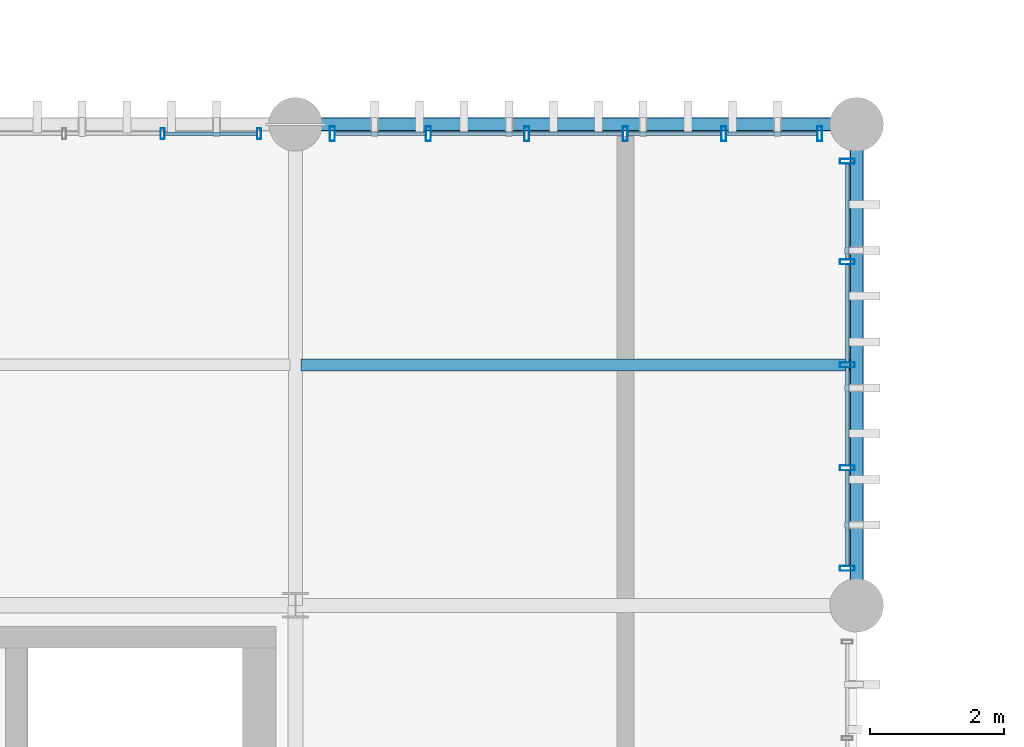
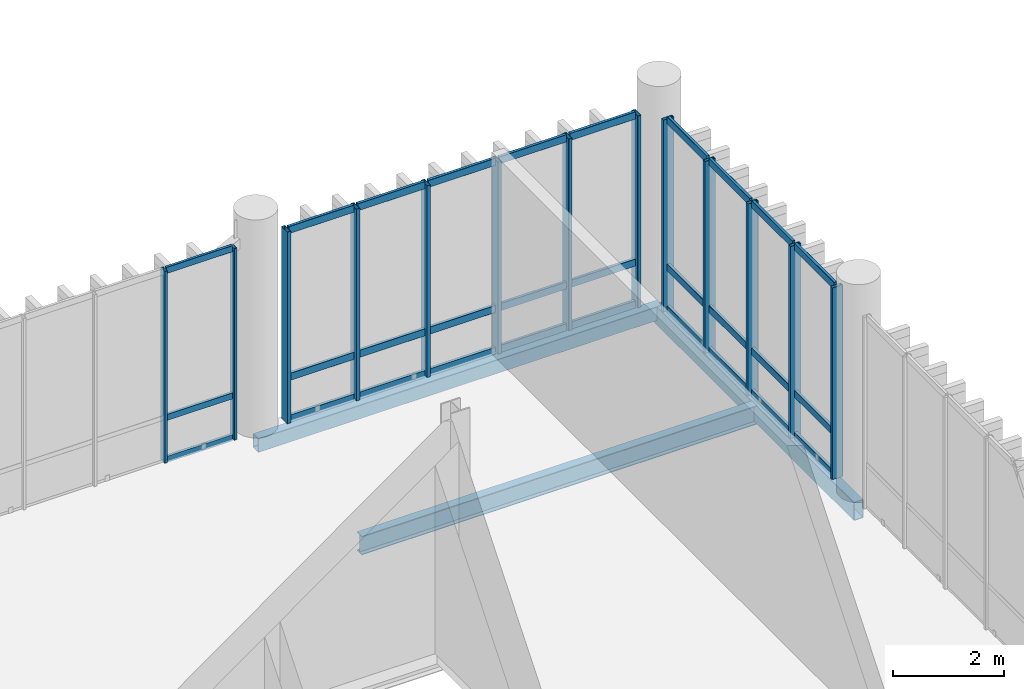
# One storey, part 58 of 109: 43 members, 3 beams, 3 elements without a shape of their own.
"""IFC4 building model written with IfcOpenShell, lengths in metres."""

from ifc_helpers import new_model, si_unit, direction, frame, origin_with_axes, origin_2d_with_axis, place, context, subcontext, project, spatial, hollow_rectangle, i_section, extrude, material, material_profile, profile_set, type_object, element, aggregate, save


model = new_model("IFC4")

# Units and contexts
model_context = context("Model", 3, precision=1e-05, world=origin_with_axes(), true_north=direction((0.0, 1.0)))
body_context = subcontext(model_context, "Body", "Model", "MODEL_VIEW")
ifc_project = project(units=[si_unit("LENGTHUNIT", "METRE"), si_unit("AREAUNIT", "SQUARE_METRE"), si_unit("VOLUMEUNIT", "CUBIC_METRE"), si_unit("PLANEANGLEUNIT", "RADIAN"), si_unit("MASSUNIT", "GRAM", prefix="KILO"), si_unit("THERMODYNAMICTEMPERATUREUNIT", "KELVIN")], contexts=[model_context])

# Site, building, storey
site_placement = place(None, origin_with_axes())
site = spatial("IfcSite", under=ifc_project, at=site_placement, CompositionType="ELEMENT")
building_placement = place(site_placement, origin_with_axes())
building = spatial("IfcBuilding", under=site, at=building_placement, Name="Montbau Bow Law Courts", CompositionType="ELEMENT")
storey_placement = place(building_placement, frame((0.0, 0.0, 10.8), z_axis=(0.0, 0.0, 1.0), x_axis=(1.0, 0.0, 0.0)))
storey = spatial("IfcBuildingStorey", under=building, at=storey_placement, Name="L02", CompositionType="ELEMENT", Elevation=10.8)

# Beams
ifc_material_1 = material(Name="Steel CSA G40.21 Grade 350W (350 MPa)", Category="steel")
ifc_material_profile_1 = material_profile(ifc_material_1, i_section(OverallWidth=0.179, OverallDepth=0.41, WebThickness=0.0088, FlangeThickness=0.0144, at=origin_2d_with_axis()), Name="W410X67", Category="Main", Priority=0)
ifc_profile_set_1 = profile_set([ifc_material_profile_1], Name="Steel CSA G40.21 Grade 350W (350 MPa)")
beam_type_1 = type_object("IfcBeamType", Name="B-JST-02", PredefinedType="JOIST", material=ifc_profile_set_1)
beam_1_placement = place(None, frame((88.881, 58.2, 10.355), z_axis=(1.0, 0.0, 0.0), x_axis=(0.0, 1.0, 0.0)))
element("IfcBeam", 1, at=beam_1_placement, inside=storey, type_object=beam_type_1, Name="JST-L02-S0453:jst2_0453", PredefinedType="JOIST", context=body_context, shape_type="SweptSolid", body=[
    extrude(i_section(OverallWidth=0.179, OverallDepth=0.41, WebThickness=0.0088, FlangeThickness=0.0144, at=origin_2d_with_axis()), origin_with_axes(), (0.0, 0.0, 1.0), 8.239),
])
ifc_material_2 = material(Name="Steel CSA G40.21 Grade 350WT (350 MPa)", Category="steel")
ifc_material_profile_2 = material_profile(ifc_material_2, hollow_rectangle(XDim=0.203, YDim=0.406, WallThickness=0.0127, InnerFilletRadius=0.0254, OuterFilletRadius=0.0127, at=origin_2d_with_axis()), Name="HSS406X203X13", Category="Main", Priority=0)
ifc_profile_set_2 = profile_set([ifc_material_profile_2], Name="Steel CSA G40.21 Grade 350WT (350 MPa)")
beam_type_2 = type_object("IfcBeamType", Name="B-SPN-01", PredefinedType="SPANDREL", material=ifc_profile_set_2)
beam_2_placement = place(None, frame((97.2, 54.6, 10.357), z_axis=(0.0, 1.0, 0.0), x_axis=(-1.0, 0.0, 0.0)))
element("IfcBeam", 2, at=beam_2_placement, inside=storey, type_object=beam_type_2, Name="SPN-L02-S0873:bm2_0876", PredefinedType="SPANDREL", context=body_context, shape_type="SweptSolid", body=[
    extrude(hollow_rectangle(XDim=0.203, YDim=0.406, WallThickness=0.0127, InnerFilletRadius=0.0254, OuterFilletRadius=0.0127, at=origin_2d_with_axis()), origin_with_axes(), (0.0, 0.0, 1.0), 7.2),
])
ifc_material_profile_3 = material_profile(ifc_material_2, hollow_rectangle(XDim=0.203, YDim=0.305, WallThickness=0.0127, InnerFilletRadius=0.0254, OuterFilletRadius=0.0127, at=origin_2d_with_axis()), Name="HSS305X203X13", Category="Main", Priority=0)
ifc_profile_set_3 = profile_set([ifc_material_profile_3], Name="Steel CSA G40.21 Grade 350WT (350 MPa)")
beam_type_3 = type_object("IfcBeamType", Name="B-SPN-02", PredefinedType="SPANDREL", material=ifc_profile_set_3)
beam_3_placement = place(None, frame((88.8, 61.8, 10.408), z_axis=(1.0, 0.0, 0.0), x_axis=(0.0, 1.0, 0.0)))
element("IfcBeam", 3, at=beam_3_placement, inside=storey, type_object=beam_type_3, Name="SPN-L02-S0856:bm2_0859", PredefinedType="SPANDREL", context=body_context, shape_type="SweptSolid", body=[
    extrude(hollow_rectangle(XDim=0.203, YDim=0.305, WallThickness=0.0127, InnerFilletRadius=0.0254, OuterFilletRadius=0.0127, at=origin_2d_with_axis()), origin_with_axes(), (0.0, 0.0, 1.0), 8.4),
])

# Curtain wall, members
ifc_material_3 = material(Name="Thermally Broken Extruded Aluminium AA 6063-T6", Category="aluminium")
curtain_wall_type = type_object("IfcCurtainWallType", Name="CW-CRM-01", PredefinedType="NOTDEFINED", material=ifc_material_3)
curtain_wall_1_placement = place(None, frame((89.315, 61.66, 10.8), z_axis=(0.0, 0.0, 1.0), x_axis=(1.0, 0.0, 0.0)))
curtain_wall_1 = element("IfcCurtainWall", 4, at=curtain_wall_1_placement, inside=storey, type_object=curtain_wall_type, Name="CW-L02-168:cw_0168", PredefinedType="NOTDEFINED")
ifc_material_profile_4 = material_profile(ifc_material_3, hollow_rectangle(XDim=0.075, YDim=0.22, WallThickness=0.005, InnerFilletRadius=0.01, OuterFilletRadius=0.005, at=origin_2d_with_axis()), Name="CWM-220X75", Category="Main", Priority=0)
ifc_profile_set_4 = profile_set([ifc_material_profile_4], Name="Thermally Broken Extruded Aluminium AA 6063-T6")
member_type_1 = type_object("IfcMemberType", Name="M-MUL-01", PredefinedType="MULLION", material=ifc_profile_set_4)
member_1_placement = place(None, frame((89.352, 61.66, 10.8), z_axis=(0.0, 0.0, 1.0), x_axis=(1.0, 0.0, 0.0)))
member_1 = element("IfcMember", 5, at=member_1_placement, type_object=member_type_1, Name="CW-L02-168-M01:cw_0168_M01", PredefinedType="MULLION", context=body_context, shape_type="SweptSolid", body=[
    extrude(hollow_rectangle(XDim=0.075, YDim=0.22, WallThickness=0.005, InnerFilletRadius=0.01, OuterFilletRadius=0.005, at=origin_2d_with_axis()), origin_with_axes(), (0.0, 0.0, 1.0), 4.22),
])
member_2_placement = place(None, frame((90.789, 61.66, 10.8), z_axis=(0.0, 0.0, 1.0), x_axis=(1.0, 0.0, 0.0)))
member_2 = element("IfcMember", 6, at=member_2_placement, type_object=member_type_1, Name="CW-L02-168-M02:cw_0168_M02", PredefinedType="MULLION", context=body_context, shape_type="SweptSolid", body=[
    extrude(hollow_rectangle(XDim=0.075, YDim=0.22, WallThickness=0.005, InnerFilletRadius=0.01, OuterFilletRadius=0.005, at=origin_2d_with_axis()), origin_with_axes(), (0.0, 0.0, 1.0), 4.22),
])
member_3_placement = place(None, frame((92.263, 61.66, 10.8), z_axis=(0.0, 0.0, 1.0), x_axis=(1.0, 0.0, 0.0)))
member_3 = element("IfcMember", 7, at=member_3_placement, type_object=member_type_1, Name="CW-L02-168-M03:cw_0168_M03", PredefinedType="MULLION", context=body_context, shape_type="SweptSolid", body=[
    extrude(hollow_rectangle(XDim=0.075, YDim=0.22, WallThickness=0.005, InnerFilletRadius=0.01, OuterFilletRadius=0.005, at=origin_2d_with_axis()), origin_with_axes(), (0.0, 0.0, 1.0), 4.22),
])
member_4_placement = place(None, frame((93.737, 61.66, 10.8), z_axis=(0.0, 0.0, 1.0), x_axis=(1.0, 0.0, 0.0)))
member_4 = element("IfcMember", 8, at=member_4_placement, type_object=member_type_1, Name="CW-L02-168-M04:cw_0168_M04", PredefinedType="MULLION", context=body_context, shape_type="SweptSolid", body=[
    extrude(hollow_rectangle(XDim=0.075, YDim=0.22, WallThickness=0.005, InnerFilletRadius=0.01, OuterFilletRadius=0.005, at=origin_2d_with_axis()), origin_with_axes(), (0.0, 0.0, 1.0), 4.22),
])
member_5_placement = place(None, frame((95.211, 61.66, 10.8), z_axis=(0.0, 0.0, 1.0), x_axis=(1.0, 0.0, 0.0)))
member_5 = element("IfcMember", 9, at=member_5_placement, type_object=member_type_1, Name="CW-L02-168-M05:cw_0168_M05", PredefinedType="MULLION", context=body_context, shape_type="SweptSolid", body=[
    extrude(hollow_rectangle(XDim=0.075, YDim=0.22, WallThickness=0.005, InnerFilletRadius=0.01, OuterFilletRadius=0.005, at=origin_2d_with_axis()), origin_with_axes(), (0.0, 0.0, 1.0), 4.22),
])
member_6_placement = place(None, frame((96.648, 61.66, 10.8), z_axis=(0.0, 0.0, 1.0), x_axis=(1.0, 0.0, 0.0)))
member_6 = element("IfcMember", 10, at=member_6_placement, type_object=member_type_1, Name="CW-L02-168-M06:cw_0168_M06", PredefinedType="MULLION", context=body_context, shape_type="SweptSolid", body=[
    extrude(hollow_rectangle(XDim=0.075, YDim=0.22, WallThickness=0.005, InnerFilletRadius=0.01, OuterFilletRadius=0.005, at=origin_2d_with_axis()), origin_with_axes(), (0.0, 0.0, 1.0), 4.22),
])

curtain_wall_2_placement = place(None, frame((97.06, 55.115, 10.8), z_axis=(0.0, 0.0, 1.0), x_axis=(1.0, 0.0, 0.0)))
curtain_wall_2 = element("IfcCurtainWall", 11, at=curtain_wall_2_placement, inside=storey, type_object=curtain_wall_type, Name="CW-L02-174:cw_0174", PredefinedType="NOTDEFINED")
member_7_placement = place(None, frame((97.06, 55.152, 10.8), z_axis=(0.0, 0.0, 1.0), x_axis=(0.0, 1.0, 0.0)))
member_7 = element("IfcMember", 12, at=member_7_placement, type_object=member_type_1, Name="CW-L02-174-M01:cw_0174_M01", PredefinedType="MULLION", context=body_context, shape_type="SweptSolid", body=[
    extrude(hollow_rectangle(XDim=0.075, YDim=0.22, WallThickness=0.005, InnerFilletRadius=0.01, OuterFilletRadius=0.005, at=origin_2d_with_axis()), origin_with_axes(), (0.0, 0.0, 1.0), 4.22),
])
member_8_placement = place(None, frame((97.06, 56.657, 10.8), z_axis=(0.0, 0.0, 1.0), x_axis=(0.0, 1.0, 0.0)))
member_8 = element("IfcMember", 13, at=member_8_placement, type_object=member_type_1, Name="CW-L02-174-M02:cw_0174_M02", PredefinedType="MULLION", context=body_context, shape_type="SweptSolid", body=[
    extrude(hollow_rectangle(XDim=0.075, YDim=0.22, WallThickness=0.005, InnerFilletRadius=0.01, OuterFilletRadius=0.005, at=origin_2d_with_axis()), origin_with_axes(), (0.0, 0.0, 1.0), 4.22),
])
member_9_placement = place(None, frame((97.06, 58.2, 10.8), z_axis=(0.0, 0.0, 1.0), x_axis=(0.0, 1.0, 0.0)))
member_9 = element("IfcMember", 14, at=member_9_placement, type_object=member_type_1, Name="CW-L02-174-M03:cw_0174_M03", PredefinedType="MULLION", context=body_context, shape_type="SweptSolid", body=[
    extrude(hollow_rectangle(XDim=0.075, YDim=0.22, WallThickness=0.005, InnerFilletRadius=0.01, OuterFilletRadius=0.005, at=origin_2d_with_axis()), origin_with_axes(), (0.0, 0.0, 1.0), 4.22),
])
member_10_placement = place(None, frame((97.06, 59.742, 10.8), z_axis=(0.0, 0.0, 1.0), x_axis=(0.0, 1.0, 0.0)))
member_10 = element("IfcMember", 15, at=member_10_placement, type_object=member_type_1, Name="CW-L02-174-M04:cw_0174_M04", PredefinedType="MULLION", context=body_context, shape_type="SweptSolid", body=[
    extrude(hollow_rectangle(XDim=0.075, YDim=0.22, WallThickness=0.005, InnerFilletRadius=0.01, OuterFilletRadius=0.005, at=origin_2d_with_axis()), origin_with_axes(), (0.0, 0.0, 1.0), 4.22),
])
member_11_placement = place(None, frame((97.06, 61.247, 10.8), z_axis=(0.0, 0.0, 1.0), x_axis=(0.0, 1.0, 0.0)))
member_11 = element("IfcMember", 16, at=member_11_placement, type_object=member_type_1, Name="CW-L02-174-M05:cw_0174_M05", PredefinedType="MULLION", context=body_context, shape_type="SweptSolid", body=[
    extrude(hollow_rectangle(XDim=0.075, YDim=0.22, WallThickness=0.005, InnerFilletRadius=0.01, OuterFilletRadius=0.005, at=origin_2d_with_axis()), origin_with_axes(), (0.0, 0.0, 1.0), 4.22),
])

curtain_wall_3_placement = place(None, frame((80.915, 61.66, 10.8), z_axis=(0.0, 0.0, 1.0), x_axis=(1.0, 0.0, 0.0)))
curtain_wall_3 = element("IfcCurtainWall", 17, at=curtain_wall_3_placement, inside=storey, type_object=curtain_wall_type, Name="CW-L02-167:cw_0167", PredefinedType="NOTDEFINED")
ifc_material_profile_5 = material_profile(ifc_material_3, hollow_rectangle(XDim=0.06, YDim=0.16, WallThickness=0.004, InnerFilletRadius=0.008, OuterFilletRadius=0.004, at=origin_2d_with_axis()), Name="CWM-160X60", Category="Main", Priority=0)
ifc_profile_set_5 = profile_set([ifc_material_profile_5], Name="Thermally Broken Extruded Aluminium AA 6063-T6")
member_type_2 = type_object("IfcMemberType", Name="M-MUL-03", PredefinedType="MULLION", material=ifc_profile_set_5)
member_12_placement = place(None, frame((86.811, 61.66, 10.8), z_axis=(0.0, 0.0, 1.0), x_axis=(1.0, 0.0, 0.0)))
member_12 = element("IfcMember", 18, at=member_12_placement, type_object=member_type_2, Name="CW-L02-167-M05:cw_0167_M05", PredefinedType="MULLION", context=body_context, shape_type="SweptSolid", body=[
    extrude(hollow_rectangle(XDim=0.06, YDim=0.16, WallThickness=0.004, InnerFilletRadius=0.008, OuterFilletRadius=0.004, at=origin_2d_with_axis()), origin_with_axes(), (0.0, 0.0, 1.0), 4.22),
])
member_13_placement = place(None, frame((88.255, 61.66, 10.8), z_axis=(0.0, 0.0, 1.0), x_axis=(1.0, 0.0, 0.0)))
member_13 = element("IfcMember", 19, at=member_13_placement, type_object=member_type_2, Name="CW-L02-167-M06:cw_0167_M06", PredefinedType="MULLION", context=body_context, shape_type="SweptSolid", body=[
    extrude(hollow_rectangle(XDim=0.06, YDim=0.16, WallThickness=0.004, InnerFilletRadius=0.008, OuterFilletRadius=0.004, at=origin_2d_with_axis()), origin_with_axes(), (0.0, 0.0, 1.0), 4.22),
])

# Member
ifc_material_profile_6 = material_profile(ifc_material_3, hollow_rectangle(XDim=0.06, YDim=0.16, WallThickness=0.004, InnerFilletRadius=0.008, OuterFilletRadius=0.004, at=origin_2d_with_axis()), Name="CWT-160X60", Category="Main", Priority=0)
ifc_profile_set_6 = profile_set([ifc_material_profile_6], Name="Thermally Broken Extruded Aluminium AA 6063-T6")
member_type_3 = type_object("IfcMemberType", Name="M-TRN-01", PredefinedType="USERDEFINED", material=ifc_profile_set_6)
member_14_placement = place(None, frame((89.391, 61.66, 10.83), z_axis=(1.0, 0.0, 0.0), x_axis=(0.0, 1.0, 0.0)))
member_14 = element("IfcMember", 20, at=member_14_placement, type_object=member_type_3, Name="CW-L02-168-T01-1:cw_0168_T01_1", ObjectType="TRANSOM", PredefinedType="USERDEFINED", context=body_context, shape_type="SweptSolid", body=[
    extrude(hollow_rectangle(XDim=0.06, YDim=0.16, WallThickness=0.004, InnerFilletRadius=0.008, OuterFilletRadius=0.004, at=origin_2d_with_axis()), origin_with_axes(), (0.0, 0.0, 1.0), 1.358),
])

member_15_placement = place(None, frame((89.391, 61.66, 11.75), z_axis=(1.0, 0.0, 0.0), x_axis=(0.0, 1.0, 0.0)))
member_15 = element("IfcMember", 21, at=member_15_placement, type_object=member_type_3, Name="CW-L02-168-T01-2:cw_0168_T01_2", ObjectType="TRANSOM", PredefinedType="USERDEFINED", context=body_context, shape_type="SweptSolid", body=[
    extrude(hollow_rectangle(XDim=0.06, YDim=0.16, WallThickness=0.004, InnerFilletRadius=0.008, OuterFilletRadius=0.004, at=origin_2d_with_axis()), origin_with_axes(), (0.0, 0.0, 1.0), 1.358),
])

member_16_placement = place(None, frame((89.391, 61.66, 14.99), z_axis=(1.0, 0.0, 0.0), x_axis=(0.0, 1.0, 0.0)))
member_16 = element("IfcMember", 22, at=member_16_placement, type_object=member_type_3, Name="CW-L02-168-T01-3:cw_0168_T01_3", ObjectType="TRANSOM", PredefinedType="USERDEFINED", context=body_context, shape_type="SweptSolid", body=[
    extrude(hollow_rectangle(XDim=0.06, YDim=0.16, WallThickness=0.004, InnerFilletRadius=0.008, OuterFilletRadius=0.004, at=origin_2d_with_axis()), origin_with_axes(), (0.0, 0.0, 1.0), 1.358),
])

member_17_placement = place(None, frame((90.829, 61.66, 10.83), z_axis=(1.0, 0.0, 0.0), x_axis=(0.0, 1.0, 0.0)))
member_17 = element("IfcMember", 23, at=member_17_placement, type_object=member_type_3, Name="CW-L02-168-T02-1:cw_0168_T02_1", ObjectType="TRANSOM", PredefinedType="USERDEFINED", context=body_context, shape_type="SweptSolid", body=[
    extrude(hollow_rectangle(XDim=0.06, YDim=0.16, WallThickness=0.004, InnerFilletRadius=0.008, OuterFilletRadius=0.004, at=origin_2d_with_axis()), origin_with_axes(), (0.0, 0.0, 1.0), 1.395),
])

member_18_placement = place(None, frame((90.829, 61.66, 11.75), z_axis=(1.0, 0.0, 0.0), x_axis=(0.0, 1.0, 0.0)))
member_18 = element("IfcMember", 24, at=member_18_placement, type_object=member_type_3, Name="CW-L02-168-T02-2:cw_0168_T02_2", ObjectType="TRANSOM", PredefinedType="USERDEFINED", context=body_context, shape_type="SweptSolid", body=[
    extrude(hollow_rectangle(XDim=0.06, YDim=0.16, WallThickness=0.004, InnerFilletRadius=0.008, OuterFilletRadius=0.004, at=origin_2d_with_axis()), origin_with_axes(), (0.0, 0.0, 1.0), 1.395),
])

member_19_placement = place(None, frame((90.829, 61.66, 14.99), z_axis=(1.0, 0.0, 0.0), x_axis=(0.0, 1.0, 0.0)))
member_19 = element("IfcMember", 25, at=member_19_placement, type_object=member_type_3, Name="CW-L02-168-T02-3:cw_0168_T02_3", ObjectType="TRANSOM", PredefinedType="USERDEFINED", context=body_context, shape_type="SweptSolid", body=[
    extrude(hollow_rectangle(XDim=0.06, YDim=0.16, WallThickness=0.004, InnerFilletRadius=0.008, OuterFilletRadius=0.004, at=origin_2d_with_axis()), origin_with_axes(), (0.0, 0.0, 1.0), 1.395),
])

member_20_placement = place(None, frame((92.302, 61.66, 10.83), z_axis=(1.0, 0.0, 0.0), x_axis=(0.0, 1.0, 0.0)))
member_20 = element("IfcMember", 26, at=member_20_placement, type_object=member_type_3, Name="CW-L02-168-T03-1:cw_0168_T03_1", ObjectType="TRANSOM", PredefinedType="USERDEFINED", context=body_context, shape_type="SweptSolid", body=[
    extrude(hollow_rectangle(XDim=0.06, YDim=0.16, WallThickness=0.004, InnerFilletRadius=0.008, OuterFilletRadius=0.004, at=origin_2d_with_axis()), origin_with_axes(), (0.0, 0.0, 1.0), 1.396),
])

member_21_placement = place(None, frame((92.302, 61.66, 11.75), z_axis=(1.0, 0.0, 0.0), x_axis=(0.0, 1.0, 0.0)))
member_21 = element("IfcMember", 27, at=member_21_placement, type_object=member_type_3, Name="CW-L02-168-T03-2:cw_0168_T03_2", ObjectType="TRANSOM", PredefinedType="USERDEFINED", context=body_context, shape_type="SweptSolid", body=[
    extrude(hollow_rectangle(XDim=0.06, YDim=0.16, WallThickness=0.004, InnerFilletRadius=0.008, OuterFilletRadius=0.004, at=origin_2d_with_axis()), origin_with_axes(), (0.0, 0.0, 1.0), 1.396),
])

member_22_placement = place(None, frame((92.302, 61.66, 14.99), z_axis=(1.0, 0.0, 0.0), x_axis=(0.0, 1.0, 0.0)))
member_22 = element("IfcMember", 28, at=member_22_placement, type_object=member_type_3, Name="CW-L02-168-T03-3:cw_0168_T03_3", ObjectType="TRANSOM", PredefinedType="USERDEFINED", context=body_context, shape_type="SweptSolid", body=[
    extrude(hollow_rectangle(XDim=0.06, YDim=0.16, WallThickness=0.004, InnerFilletRadius=0.008, OuterFilletRadius=0.004, at=origin_2d_with_axis()), origin_with_axes(), (0.0, 0.0, 1.0), 1.396),
])

member_23_placement = place(None, frame((93.776, 61.66, 10.83), z_axis=(1.0, 0.0, 0.0), x_axis=(0.0, 1.0, 0.0)))
member_23 = element("IfcMember", 29, at=member_23_placement, type_object=member_type_3, Name="CW-L02-168-T04-1:cw_0168_T04_1", ObjectType="TRANSOM", PredefinedType="USERDEFINED", context=body_context, shape_type="SweptSolid", body=[
    extrude(hollow_rectangle(XDim=0.06, YDim=0.16, WallThickness=0.004, InnerFilletRadius=0.008, OuterFilletRadius=0.004, at=origin_2d_with_axis()), origin_with_axes(), (0.0, 0.0, 1.0), 1.396),
])

member_24_placement = place(None, frame((93.776, 61.66, 11.75), z_axis=(1.0, 0.0, 0.0), x_axis=(0.0, 1.0, 0.0)))
member_24 = element("IfcMember", 30, at=member_24_placement, type_object=member_type_3, Name="CW-L02-168-T04-2:cw_0168_T04_2", ObjectType="TRANSOM", PredefinedType="USERDEFINED", context=body_context, shape_type="SweptSolid", body=[
    extrude(hollow_rectangle(XDim=0.06, YDim=0.16, WallThickness=0.004, InnerFilletRadius=0.008, OuterFilletRadius=0.004, at=origin_2d_with_axis()), origin_with_axes(), (0.0, 0.0, 1.0), 1.396),
])

member_25_placement = place(None, frame((93.776, 61.66, 14.99), z_axis=(1.0, 0.0, 0.0), x_axis=(0.0, 1.0, 0.0)))
member_25 = element("IfcMember", 31, at=member_25_placement, type_object=member_type_3, Name="CW-L02-168-T04-3:cw_0168_T04_3", ObjectType="TRANSOM", PredefinedType="USERDEFINED", context=body_context, shape_type="SweptSolid", body=[
    extrude(hollow_rectangle(XDim=0.06, YDim=0.16, WallThickness=0.004, InnerFilletRadius=0.008, OuterFilletRadius=0.004, at=origin_2d_with_axis()), origin_with_axes(), (0.0, 0.0, 1.0), 1.396),
])

member_26_placement = place(None, frame((95.25, 61.66, 10.83), z_axis=(1.0, 0.0, 0.0), x_axis=(0.0, 1.0, 0.0)))
member_26 = element("IfcMember", 32, at=member_26_placement, type_object=member_type_3, Name="CW-L02-168-T05-1:cw_0168_T05_1", ObjectType="TRANSOM", PredefinedType="USERDEFINED", context=body_context, shape_type="SweptSolid", body=[
    extrude(hollow_rectangle(XDim=0.06, YDim=0.16, WallThickness=0.004, InnerFilletRadius=0.008, OuterFilletRadius=0.004, at=origin_2d_with_axis()), origin_with_axes(), (0.0, 0.0, 1.0), 1.359),
])

member_27_placement = place(None, frame((95.25, 61.66, 11.75), z_axis=(1.0, 0.0, 0.0), x_axis=(0.0, 1.0, 0.0)))
member_27 = element("IfcMember", 33, at=member_27_placement, type_object=member_type_3, Name="CW-L02-168-T05-2:cw_0168_T05_2", ObjectType="TRANSOM", PredefinedType="USERDEFINED", context=body_context, shape_type="SweptSolid", body=[
    extrude(hollow_rectangle(XDim=0.06, YDim=0.16, WallThickness=0.004, InnerFilletRadius=0.008, OuterFilletRadius=0.004, at=origin_2d_with_axis()), origin_with_axes(), (0.0, 0.0, 1.0), 1.359),
])

member_28_placement = place(None, frame((95.25, 61.66, 14.99), z_axis=(1.0, 0.0, 0.0), x_axis=(0.0, 1.0, 0.0)))
member_28 = element("IfcMember", 34, at=member_28_placement, type_object=member_type_3, Name="CW-L02-168-T05-3:cw_0168_T05_3", ObjectType="TRANSOM", PredefinedType="USERDEFINED", context=body_context, shape_type="SweptSolid", body=[
    extrude(hollow_rectangle(XDim=0.06, YDim=0.16, WallThickness=0.004, InnerFilletRadius=0.008, OuterFilletRadius=0.004, at=origin_2d_with_axis()), origin_with_axes(), (0.0, 0.0, 1.0), 1.359),
])

aggregate(curtain_wall_1, [member_1, member_2, member_3, member_4, member_5, member_6, member_14, member_15, member_16, member_17, member_18, member_19, member_20, member_21, member_22, member_23, member_24, member_25, member_26, member_27, member_28])

member_29_placement = place(None, frame((97.06, 55.191, 10.83), z_axis=(0.0, 1.0, 0.0), x_axis=(-1.0, 0.0, 0.0)))
member_29 = element("IfcMember", 35, at=member_29_placement, type_object=member_type_3, Name="CW-L02-174-T01-1:cw_0174_T01_1", ObjectType="TRANSOM", PredefinedType="USERDEFINED", context=body_context, shape_type="SweptSolid", body=[
    extrude(hollow_rectangle(XDim=0.06, YDim=0.16, WallThickness=0.004, InnerFilletRadius=0.008, OuterFilletRadius=0.004, at=origin_2d_with_axis()), origin_with_axes(), (0.0, 0.0, 1.0), 1.426),
])

member_30_placement = place(None, frame((97.06, 55.191, 11.75), z_axis=(0.0, 1.0, 0.0), x_axis=(-1.0, 0.0, 0.0)))
member_30 = element("IfcMember", 36, at=member_30_placement, type_object=member_type_3, Name="CW-L02-174-T01-2:cw_0174_T01_2", ObjectType="TRANSOM", PredefinedType="USERDEFINED", context=body_context, shape_type="SweptSolid", body=[
    extrude(hollow_rectangle(XDim=0.06, YDim=0.16, WallThickness=0.004, InnerFilletRadius=0.008, OuterFilletRadius=0.004, at=origin_2d_with_axis()), origin_with_axes(), (0.0, 0.0, 1.0), 1.426),
])

member_31_placement = place(None, frame((97.06, 55.191, 14.99), z_axis=(0.0, 1.0, 0.0), x_axis=(-1.0, 0.0, 0.0)))
member_31 = element("IfcMember", 37, at=member_31_placement, type_object=member_type_3, Name="CW-L02-174-T01-3:cw_0174_T01_3", ObjectType="TRANSOM", PredefinedType="USERDEFINED", context=body_context, shape_type="SweptSolid", body=[
    extrude(hollow_rectangle(XDim=0.06, YDim=0.16, WallThickness=0.004, InnerFilletRadius=0.008, OuterFilletRadius=0.004, at=origin_2d_with_axis()), origin_with_axes(), (0.0, 0.0, 1.0), 1.426),
])

member_32_placement = place(None, frame((97.06, 56.697, 10.83), z_axis=(0.0, 1.0, 0.0), x_axis=(-1.0, 0.0, 0.0)))
member_32 = element("IfcMember", 38, at=member_32_placement, type_object=member_type_3, Name="CW-L02-174-T02-1:cw_0174_T02_1", ObjectType="TRANSOM", PredefinedType="USERDEFINED", context=body_context, shape_type="SweptSolid", body=[
    extrude(hollow_rectangle(XDim=0.06, YDim=0.16, WallThickness=0.004, InnerFilletRadius=0.008, OuterFilletRadius=0.004, at=origin_2d_with_axis()), origin_with_axes(), (0.0, 0.0, 1.0), 1.464),
])

member_33_placement = place(None, frame((97.06, 56.697, 11.75), z_axis=(0.0, 1.0, 0.0), x_axis=(-1.0, 0.0, 0.0)))
member_33 = element("IfcMember", 39, at=member_33_placement, type_object=member_type_3, Name="CW-L02-174-T02-2:cw_0174_T02_2", ObjectType="TRANSOM", PredefinedType="USERDEFINED", context=body_context, shape_type="SweptSolid", body=[
    extrude(hollow_rectangle(XDim=0.06, YDim=0.16, WallThickness=0.004, InnerFilletRadius=0.008, OuterFilletRadius=0.004, at=origin_2d_with_axis()), origin_with_axes(), (0.0, 0.0, 1.0), 1.464),
])

member_34_placement = place(None, frame((97.06, 56.697, 14.99), z_axis=(0.0, 1.0, 0.0), x_axis=(-1.0, 0.0, 0.0)))
member_34 = element("IfcMember", 40, at=member_34_placement, type_object=member_type_3, Name="CW-L02-174-T02-3:cw_0174_T02_3", ObjectType="TRANSOM", PredefinedType="USERDEFINED", context=body_context, shape_type="SweptSolid", body=[
    extrude(hollow_rectangle(XDim=0.06, YDim=0.16, WallThickness=0.004, InnerFilletRadius=0.008, OuterFilletRadius=0.004, at=origin_2d_with_axis()), origin_with_axes(), (0.0, 0.0, 1.0), 1.464),
])

member_35_placement = place(None, frame((97.06, 58.239, 10.83), z_axis=(0.0, 1.0, 0.0), x_axis=(-1.0, 0.0, 0.0)))
member_35 = element("IfcMember", 41, at=member_35_placement, type_object=member_type_3, Name="CW-L02-174-T03-1:cw_0174_T03_1", ObjectType="TRANSOM", PredefinedType="USERDEFINED", context=body_context, shape_type="SweptSolid", body=[
    extrude(hollow_rectangle(XDim=0.06, YDim=0.16, WallThickness=0.004, InnerFilletRadius=0.008, OuterFilletRadius=0.004, at=origin_2d_with_axis()), origin_with_axes(), (0.0, 0.0, 1.0), 1.464),
])

member_36_placement = place(None, frame((97.06, 58.239, 11.75), z_axis=(0.0, 1.0, 0.0), x_axis=(-1.0, 0.0, 0.0)))
member_36 = element("IfcMember", 42, at=member_36_placement, type_object=member_type_3, Name="CW-L02-174-T03-2:cw_0174_T03_2", ObjectType="TRANSOM", PredefinedType="USERDEFINED", context=body_context, shape_type="SweptSolid", body=[
    extrude(hollow_rectangle(XDim=0.06, YDim=0.16, WallThickness=0.004, InnerFilletRadius=0.008, OuterFilletRadius=0.004, at=origin_2d_with_axis()), origin_with_axes(), (0.0, 0.0, 1.0), 1.464),
])

member_37_placement = place(None, frame((97.06, 58.239, 14.99), z_axis=(0.0, 1.0, 0.0), x_axis=(-1.0, 0.0, 0.0)))
member_37 = element("IfcMember", 43, at=member_37_placement, type_object=member_type_3, Name="CW-L02-174-T03-3:cw_0174_T03_3", ObjectType="TRANSOM", PredefinedType="USERDEFINED", context=body_context, shape_type="SweptSolid", body=[
    extrude(hollow_rectangle(XDim=0.06, YDim=0.16, WallThickness=0.004, InnerFilletRadius=0.008, OuterFilletRadius=0.004, at=origin_2d_with_axis()), origin_with_axes(), (0.0, 0.0, 1.0), 1.464),
])

member_38_placement = place(None, frame((97.06, 59.781, 10.83), z_axis=(0.0, 1.0, 0.0), x_axis=(-1.0, 0.0, 0.0)))
member_38 = element("IfcMember", 44, at=member_38_placement, type_object=member_type_3, Name="CW-L02-174-T04-1:cw_0174_T04_1", ObjectType="TRANSOM", PredefinedType="USERDEFINED", context=body_context, shape_type="SweptSolid", body=[
    extrude(hollow_rectangle(XDim=0.06, YDim=0.16, WallThickness=0.004, InnerFilletRadius=0.008, OuterFilletRadius=0.004, at=origin_2d_with_axis()), origin_with_axes(), (0.0, 0.0, 1.0), 1.427),
])

member_39_placement = place(None, frame((97.06, 59.781, 11.75), z_axis=(0.0, 1.0, 0.0), x_axis=(-1.0, 0.0, 0.0)))
member_39 = element("IfcMember", 45, at=member_39_placement, type_object=member_type_3, Name="CW-L02-174-T04-2:cw_0174_T04_2", ObjectType="TRANSOM", PredefinedType="USERDEFINED", context=body_context, shape_type="SweptSolid", body=[
    extrude(hollow_rectangle(XDim=0.06, YDim=0.16, WallThickness=0.004, InnerFilletRadius=0.008, OuterFilletRadius=0.004, at=origin_2d_with_axis()), origin_with_axes(), (0.0, 0.0, 1.0), 1.427),
])

member_40_placement = place(None, frame((97.06, 59.781, 14.99), z_axis=(0.0, 1.0, 0.0), x_axis=(-1.0, 0.0, 0.0)))
member_40 = element("IfcMember", 46, at=member_40_placement, type_object=member_type_3, Name="CW-L02-174-T04-3:cw_0174_T04_3", ObjectType="TRANSOM", PredefinedType="USERDEFINED", context=body_context, shape_type="SweptSolid", body=[
    extrude(hollow_rectangle(XDim=0.06, YDim=0.16, WallThickness=0.004, InnerFilletRadius=0.008, OuterFilletRadius=0.004, at=origin_2d_with_axis()), origin_with_axes(), (0.0, 0.0, 1.0), 1.427),
])

aggregate(curtain_wall_2, [member_7, member_8, member_9, member_10, member_11, member_29, member_30, member_31, member_32, member_33, member_34, member_35, member_36, member_37, member_38, member_39, member_40])

ifc_material_profile_7 = material_profile(ifc_material_3, hollow_rectangle(XDim=0.055, YDim=0.14, WallThickness=0.004, InnerFilletRadius=0.008, OuterFilletRadius=0.004, at=origin_2d_with_axis()), Name="CWT-140X55", Category="Main", Priority=0)
ifc_profile_set_7 = profile_set([ifc_material_profile_7], Name="Thermally Broken Extruded Aluminium AA 6063-T6")
member_type_4 = type_object("IfcMemberType", Name="M-TRN-02", PredefinedType="USERDEFINED", material=ifc_profile_set_7)
member_41_placement = place(None, frame((86.843, 61.66, 10.828), z_axis=(1.0, 0.0, 0.0), x_axis=(0.0, 1.0, 0.0)))
member_41 = element("IfcMember", 47, at=member_41_placement, type_object=member_type_4, Name="CW-L02-167-T05-1:cw_0167_T05_1", ObjectType="TRANSOM", PredefinedType="USERDEFINED", context=body_context, shape_type="SweptSolid", body=[
    extrude(hollow_rectangle(XDim=0.055, YDim=0.14, WallThickness=0.004, InnerFilletRadius=0.008, OuterFilletRadius=0.004, at=origin_2d_with_axis()), origin_with_axes(), (0.0, 0.0, 1.0), 1.38),
])

member_42_placement = place(None, frame((86.843, 61.66, 11.75), z_axis=(1.0, 0.0, 0.0), x_axis=(0.0, 1.0, 0.0)))
member_42 = element("IfcMember", 48, at=member_42_placement, type_object=member_type_4, Name="CW-L02-167-T05-2:cw_0167_T05_2", ObjectType="TRANSOM", PredefinedType="USERDEFINED", context=body_context, shape_type="SweptSolid", body=[
    extrude(hollow_rectangle(XDim=0.055, YDim=0.14, WallThickness=0.004, InnerFilletRadius=0.008, OuterFilletRadius=0.004, at=origin_2d_with_axis()), origin_with_axes(), (0.0, 0.0, 1.0), 1.38),
])

member_43_placement = place(None, frame((86.843, 61.66, 14.992), z_axis=(1.0, 0.0, 0.0), x_axis=(0.0, 1.0, 0.0)))
member_43 = element("IfcMember", 49, at=member_43_placement, type_object=member_type_4, Name="CW-L02-167-T05-3:cw_0167_T05_3", ObjectType="TRANSOM", PredefinedType="USERDEFINED", context=body_context, shape_type="SweptSolid", body=[
    extrude(hollow_rectangle(XDim=0.055, YDim=0.14, WallThickness=0.004, InnerFilletRadius=0.008, OuterFilletRadius=0.004, at=origin_2d_with_axis()), origin_with_axes(), (0.0, 0.0, 1.0), 1.38),
])

aggregate(curtain_wall_3, [member_12, member_13, member_41, member_42, member_43])

save(model, "model.ifc")
